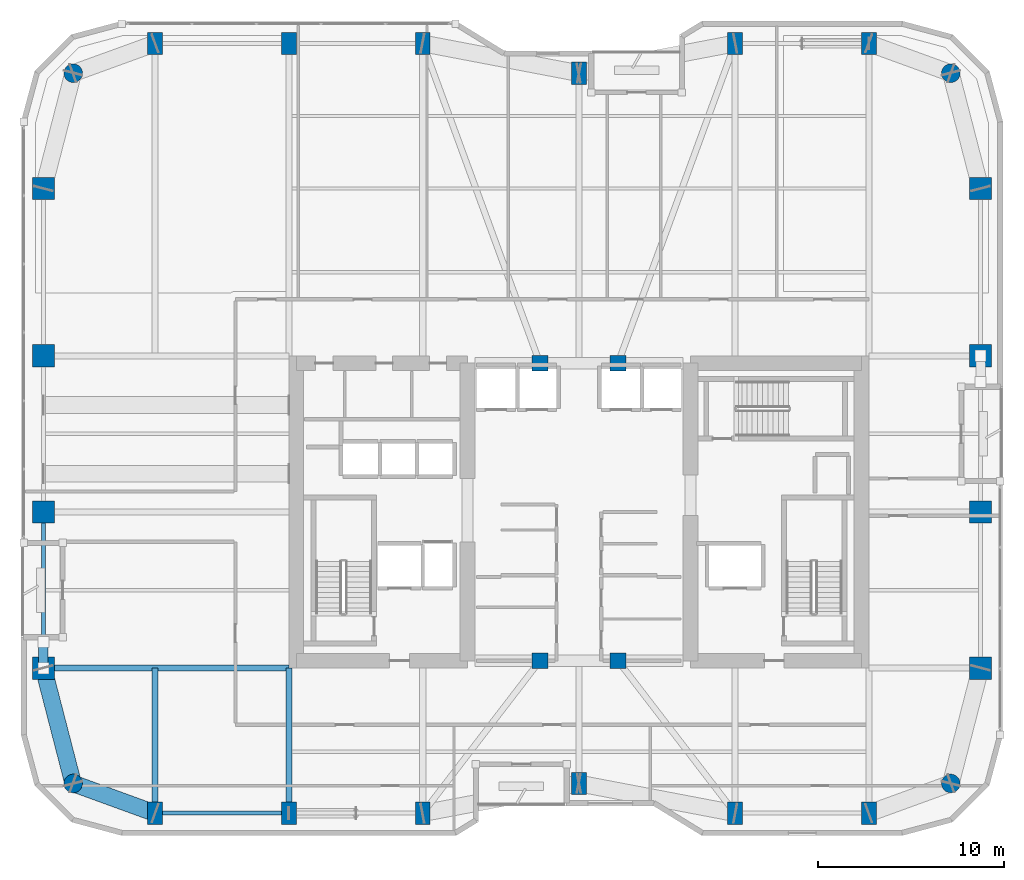
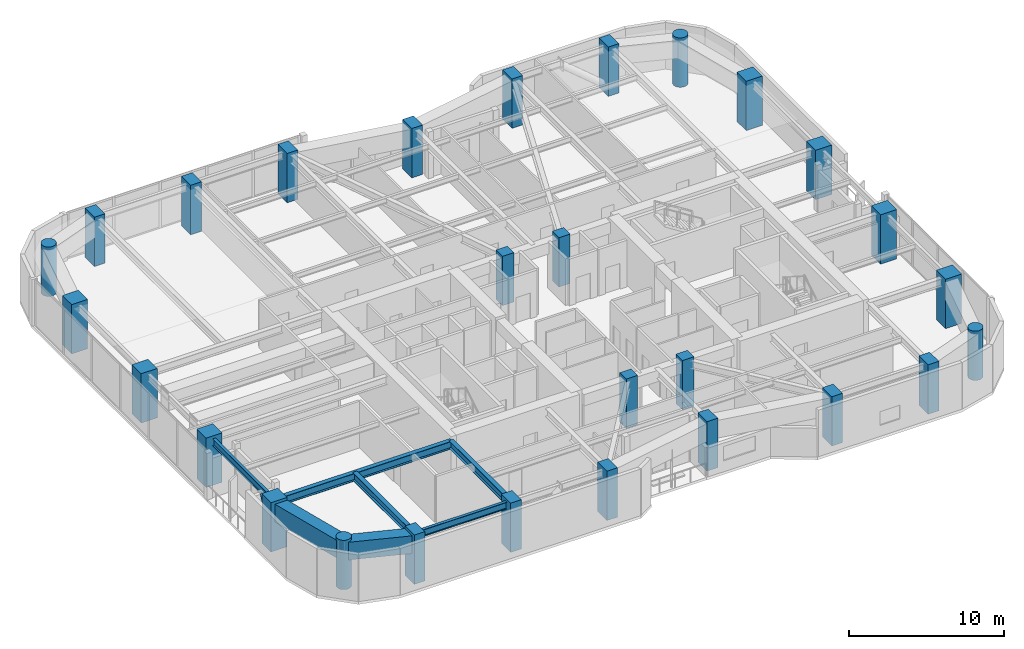
# One storey, part 1 of 30: 28 columns, 7 beams, 1 member.
"""IFC4 building model written with IfcOpenShell, lengths in metres."""

from ifc_helpers import new_model, si_unit, direction, frame, origin, origin_2d, place, context, subcontext, project, spatial, rectangle, hollow_rectangle, circle, hollow_circle, i_section, extrude, material, material_profile, profile_set, type_object, element, save


model = new_model("IFC4")

# Units and contexts
model_context = context("Model", 3, precision=1e-05, world=origin(), true_north=direction((0.0, 1.0)))
body_context = subcontext(model_context, "Body", "Model", "MODEL_VIEW")
ifc_project = project(units=[si_unit("LENGTHUNIT", "METRE"), si_unit("AREAUNIT", "SQUARE_METRE"), si_unit("VOLUMEUNIT", "CUBIC_METRE"), si_unit("PLANEANGLEUNIT", "RADIAN"), si_unit("MASSUNIT", "GRAM", prefix="KILO")], contexts=[model_context])

# Site, building, storey
site_placement = place(None, origin())
site = spatial("IfcSite", under=ifc_project, at=site_placement, CompositionType="ELEMENT")
building_placement = place(site_placement, origin())
building = spatial("IfcBuilding", under=site, at=building_placement, Name="Kiyonajd Concourse Tower", CompositionType="ELEMENT")
storey_placement = place(building_placement, frame((0.0, 0.0, 177.89990234375)))
storey = spatial("IfcBuildingStorey", under=building, at=storey_placement, Name="L45", CompositionType="ELEMENT", Elevation=177.89990234375)

# Columns
ifc_material_1 = material(Name="Concrete C70/85", Category="concrete")
ifc_material_profile_1 = material_profile(ifc_material_1, rectangle(XDim=0.800048828125, YDim=1.199951171875, at=origin_2d()), Name="RC-1200x800")
ifc_profile_set_1 = profile_set([ifc_material_profile_1], Name="Concrete C70/85")
column_type_1 = type_object("IfcColumnType", Name="CL-BLADE-1200", PredefinedType="COLUMN", material=ifc_profile_set_1)
for number, where, z_axis, x_axis, name in (
    (1, (25.199951171875, 19.800048828125, 0.0), (0.0, 0.0, 1.0), (1.0, 0.0, 0.0), "L45 Perimeter Bundled Tube Column"),
    (2, (25.199951171875, 61.199951171875, 0.0), (0.0, 0.0, 1.0), (1.0, 0.0, 0.0), "L45 Perimeter Bundled Tube Column"),
    (3, (32.39990234375, 19.800048828125, 0.0), (0.0, 0.0, 1.0), (1.0, 0.0, 0.0), "L45 Perimeter Bundled Tube Column"),
    (4, (32.39990234375, 61.199951171875, 0.0), (0.0, 0.0, 1.0), (1.0, 0.0, 0.0), "L45 Perimeter Bundled Tube Column"),
    (5, (39.60009765625, 19.800048828125, 0.0), (0.0, 0.0, 1.0), (1.0, 0.0, 0.0), "L45 Perimeter Bundled Tube Column"),
    (6, (39.60009765625, 61.199951171875, 0.0), (0.0, 0.0, 1.0), (1.0, 0.0, 0.0), "L45 Perimeter Bundled Tube Column"),
    (7, (48.0, 21.39990234375, 0.0), (0.0, 0.0, 1.0), (1.0, 0.0, 0.0), "L45 Perimeter Bundled Tube Column"),
    (8, (48.0, 59.60009765625, 0.0), (0.0, 0.0, 1.0), (1.0, 0.0, 0.0), "L45 Perimeter Bundled Tube Column"),
    (9, (56.39990234375, 19.800048828125, 0.0), (0.0, 0.0, 1.0), (1.0, 0.0, 0.0), "L45 Perimeter Bundled Tube Column"),
    (10, (56.39990234375, 61.199951171875, 0.0), (0.0, 0.0, 1.0), (1.0, 0.0, 0.0), "L45 Perimeter Bundled Tube Column"),
    (11, (63.60009765625, 19.800048828125, 0.0), (0.0, 0.0, 1.0), (1.0, 0.0, 0.0), "L45 Perimeter Bundled Tube Column"),
    (12, (63.60009765625, 61.199951171875, 0.0), (0.0, 0.0, 1.0), (1.0, 0.0, 0.0), "L45 Perimeter Bundled Tube Column"),
):
    element("IfcColumn", number, at=place(storey_placement, frame(where, z_axis=z_axis, x_axis=x_axis)), inside=storey, type_object=column_type_1, Name=name, PredefinedType="COLUMN", context=body_context, shape_type="SweptSolid", body=[
        extrude(rectangle(XDim=0.800048828125, YDim=1.199951171875, at=origin_2d()), origin(), (0.0, 0.0, 1.0), 3.900146484375),
    ])
ifc_material_2 = material(Name="Concrete C60/75", Category="concrete")
ifc_material_profile_2 = material_profile(ifc_material_2, circle(Radius=0.5, at=origin_2d()), Name="RCC-D1000")
ifc_profile_set_2 = profile_set([ifc_material_profile_2], Name="Concrete C60/75")
column_type_2 = type_object("IfcColumnType", Name="CL-RND-1000", PredefinedType="COLUMN", material=ifc_profile_set_2)
for number, where, z_axis, x_axis, name in (
    (13, (20.800048828125, 21.39990234375, 0.0), (0.0, 0.0, 1.0), (1.0, 0.0, 0.0), "L45 Bundled Tube Corner Column South West"),
    (14, (68.0, 21.39990234375, 0.0), (0.0, 0.0, 1.0), (1.0, 0.0, 0.0), "L45 Bundled Tube Corner Column South East"),
    (15, (68.0, 59.60009765625, 0.0), (0.0, 0.0, 1.0), (1.0, 0.0, 0.0), "L45 Bundled Tube Corner Column North East"),
    (16, (20.800048828125, 59.60009765625, 0.0), (0.0, 0.0, 1.0), (1.0, 0.0, 0.0), "L45 Bundled Tube Corner Column North West"),
):
    element("IfcColumn", number, at=place(storey_placement, frame(where, z_axis=z_axis, x_axis=x_axis)), inside=storey, type_object=column_type_2, Name=name, PredefinedType="COLUMN", context=body_context, shape_type="SweptSolid", body=[
        extrude(circle(Radius=0.5, at=origin_2d()), origin(), (0.0, 0.0, 1.0), 3.900146484375),
    ])
ifc_material_profile_3 = material_profile(ifc_material_1, rectangle(XDim=1.199951171875, YDim=1.199951171875, at=origin_2d()), Name="RC-1200x1200")
ifc_profile_set_3 = profile_set([ifc_material_profile_3], Name="Concrete C70/85")
column_type_3 = type_object("IfcColumnType", Name="CL-TUBE-1200", PredefinedType="COLUMN", material=ifc_profile_set_3)
for number, where, z_axis, x_axis, name in (
    (17, (19.199951171875, 27.60009765625, 0.0), (0.0, 0.0, 1.0), (1.0, 0.0, 0.0), "L45 Perimeter Bundled Tube Column"),
    (18, (69.60009765625, 27.60009765625, 0.0), (0.0, 0.0, 1.0), (1.0, 0.0, 0.0), "L45 Perimeter Bundled Tube Column"),
    (19, (19.199951171875, 36.0, 0.0), (0.0, 0.0, 1.0), (1.0, 0.0, 0.0), "L45 Perimeter Bundled Tube Column"),
    (20, (69.60009765625, 36.0, 0.0), (0.0, 0.0, 1.0), (1.0, 0.0, 0.0), "L45 Perimeter Bundled Tube Column"),
    (21, (19.199951171875, 44.39990234375, 0.0), (0.0, 0.0, 1.0), (1.0, 0.0, 0.0), "L45 Perimeter Bundled Tube Column"),
    (22, (69.60009765625, 44.39990234375, 0.0), (0.0, 0.0, 1.0), (1.0, 0.0, 0.0), "L45 Perimeter Bundled Tube Column"),
    (23, (19.199951171875, 53.39990234375, 0.0), (0.0, 0.0, 1.0), (1.0, 0.0, 0.0), "L45 Perimeter Bundled Tube Column"),
    (24, (69.60009765625, 53.39990234375, 0.0), (0.0, 0.0, 1.0), (1.0, 0.0, 0.0), "L45 Perimeter Bundled Tube Column"),
):
    element("IfcColumn", number, at=place(storey_placement, frame(where, z_axis=z_axis, x_axis=x_axis)), inside=storey, type_object=column_type_3, Name=name, PredefinedType="COLUMN", context=body_context, shape_type="SweptSolid", body=[
        extrude(rectangle(XDim=1.199951171875, YDim=1.199951171875, at=origin_2d()), origin(), (0.0, 0.0, 1.0), 3.900146484375),
    ])
ifc_material_profile_4 = material_profile(ifc_material_2, rectangle(XDim=0.85009765625, YDim=0.85009765625, at=origin_2d()), Name="RC-850x850")
ifc_profile_set_4 = profile_set([ifc_material_profile_4], Name="Concrete C60/75")
column_type_4 = type_object("IfcColumnType", Name="CL-TUBE-850", PredefinedType="COLUMN", material=ifc_profile_set_4)
for number, where, z_axis, x_axis, name in (
    (25, (45.89990234375, 28.0, 0.0), (0.0, 0.0, 1.0), (1.0, 0.0, 0.0), "L45 Core Tie Column South West"),
    (26, (50.10009765625, 28.0, 0.0), (0.0, 0.0, 1.0), (1.0, 0.0, 0.0), "L45 Core Tie Column South East"),
    (27, (45.89990234375, 44.0, 0.0), (0.0, 0.0, 1.0), (1.0, 0.0, 0.0), "L45 Core Tie Column North West"),
    (28, (50.10009765625, 44.0, 0.0), (0.0, 0.0, 1.0), (1.0, 0.0, 0.0), "L45 Core Tie Column North East"),
):
    element("IfcColumn", number, at=place(storey_placement, frame(where, z_axis=z_axis, x_axis=x_axis)), inside=storey, type_object=column_type_4, Name=name, PredefinedType="COLUMN", context=body_context, shape_type="SweptSolid", body=[
        extrude(rectangle(XDim=0.85009765625, YDim=0.85009765625, at=origin_2d()), origin(), (0.0, 0.0, 1.0), 3.900146484375),
    ])

# Beams
ifc_material_3 = material(Name="Steel ASTM A992 Grade 50", Category="steel")
ifc_material_profile_5 = material_profile(ifc_material_3, i_section(OverallWidth=0.214111328125, OverallDepth=0.549072265625, WebThickness=0.0146484375, FlangeThickness=0.023681640625, at=origin_2d()), Name="W530X138")
ifc_profile_set_5 = profile_set([ifc_material_profile_5], Name="Steel ASTM A992 Grade 50")
beam_type_1 = type_object("IfcBeamType", Name="BM-SPAN-530A", PredefinedType="SPANDREL", material=ifc_profile_set_5)
beam_1_placement = place(storey_placement, frame((25.199951171875, 19.800048828125, 3.405517578125), z_axis=(1.0, 0.0, 0.0), x_axis=(0.0, 1.0, 0.0)))
element("IfcBeam", 29, at=beam_1_placement, inside=storey, type_object=beam_type_1, Name="L45 Perimeter Bundled Tube Spandrel", PredefinedType="SPANDREL", context=body_context, shape_type="SweptSolid", body=[
    extrude(i_section(OverallWidth=0.214111328125, OverallDepth=0.549072265625, WebThickness=0.0146484375, FlangeThickness=0.023681640625, at=origin_2d()), origin(), (0.0, 0.0, 1.0), 7.199951171875),
])
beam_2_placement = place(storey_placement, frame((19.199951171875, 36.0, 3.405517578125), z_axis=(0.0, -1.0, 0.0), x_axis=(1.0, 0.0, 0.0)))
element("IfcBeam", 30, at=beam_2_placement, inside=storey, type_object=beam_type_1, Name="L45 Perimeter Bundled Tube Spandrel", PredefinedType="SPANDREL", context=body_context, shape_type="SweptSolid", body=[
    extrude(i_section(OverallWidth=0.214111328125, OverallDepth=0.549072265625, WebThickness=0.0146484375, FlangeThickness=0.023681640625, at=origin_2d()), origin(), (0.0, 0.0, 1.0), 8.39990234375),
])
ifc_material_profile_6 = material_profile(ifc_material_3, i_section(OverallWidth=0.326904296875, OverallDepth=0.6220703125, WebThickness=0.015380859375, FlangeThickness=0.0244140625, at=origin_2d()), Name="W610X195")
ifc_profile_set_6 = profile_set([ifc_material_profile_6], Name="Steel ASTM A992 Grade 50")
beam_type_2 = type_object("IfcBeamType", Name="BM-TWR-610A", PredefinedType="BEAM", material=ifc_profile_set_6)
for number, where, z_axis, x_axis, name in (
    (31, (25.199951171875, 19.800048828125, 3.369140625), (0.0, 1.0, 0.0), (-1.0, 0.0, 0.0), "L45 South Lease Girder"),
    (32, (32.39990234375, 19.800048828125, 3.369140625), (0.0, 1.0, 0.0), (-1.0, 0.0, 0.0), "L45 South Lease Girder"),
):
    element("IfcBeam", number, at=place(storey_placement, frame(where, z_axis=z_axis, x_axis=x_axis)), inside=storey, type_object=beam_type_2, Name=name, PredefinedType="BEAM", context=body_context, shape_type="SweptSolid", body=[
        extrude(i_section(OverallWidth=0.326904296875, OverallDepth=0.6220703125, WebThickness=0.015380859375, FlangeThickness=0.0244140625, at=origin_2d()), origin(), (0.0, 0.0, 1.0), 7.800048828125),
    ])
beam_3_placement = place(storey_placement, frame((19.199951171875, 27.60009765625, 3.369140625), z_axis=(1.0, 0.0, 0.0), x_axis=(0.0, 1.0, 0.0)))
element("IfcBeam", 33, at=beam_3_placement, inside=storey, type_object=beam_type_2, Name="L45 West Lease Girder", PredefinedType="BEAM", context=body_context, shape_type="SweptSolid", body=[
    extrude(i_section(OverallWidth=0.326904296875, OverallDepth=0.6220703125, WebThickness=0.015380859375, FlangeThickness=0.0244140625, at=origin_2d()), origin(), (0.0, 0.0, 1.0), 13.199951171875),
])
ifc_material_4 = material(Name="Steel ASTM A572 Grade 50", Category="steel")
ifc_material_profile_7 = material_profile(ifc_material_4, hollow_rectangle(XDim=0.89990234375, YDim=1.39990234375, WallThickness=0.070068359375, at=origin_2d()), Name="BOX-1400x900x70")
ifc_profile_set_7 = profile_set([ifc_material_profile_7], Name="Steel ASTM A572 Grade 50")
beam_type_3 = type_object("IfcBeamType", Name="BM-XFER-1400", PredefinedType="BEAM", material=ifc_profile_set_7)
beam_4_placement = place(storey_placement, frame((19.199951171875, 27.60009765625, 2.97998046875), z_axis=(0.249884937687, -0.968275538221, 0.0), x_axis=(0.968275538221, 0.249884937687, 0.0)))
element("IfcBeam", 34, at=beam_4_placement, inside=storey, type_object=beam_type_3, Name="L45 Perimeter Bundled Tube Spandrel", PredefinedType="BEAM", context=body_context, shape_type="SweptSolid", body=[
    extrude(hollow_rectangle(XDim=0.89990234375, YDim=1.39990234375, WallThickness=0.070068359375, at=origin_2d()), origin(), (0.0, 0.0, 1.0), 6.4033203125),
])
beam_5_placement = place(storey_placement, frame((20.800048828125, 21.39990234375, 2.97998046875), z_axis=(0.939801036019, -0.341722127901, 0.0), x_axis=(0.341722127901, 0.939801036019, 0.0)))
element("IfcBeam", 35, at=beam_5_placement, inside=storey, type_object=beam_type_3, Name="L45 Perimeter Bundled Tube Spandrel", PredefinedType="BEAM", context=body_context, shape_type="SweptSolid", body=[
    extrude(hollow_rectangle(XDim=0.89990234375, YDim=1.39990234375, WallThickness=0.070068359375, at=origin_2d()), origin(), (0.0, 0.0, 1.0), 4.681640625),
])

# Member
ifc_material_5 = material(Name="Steel ASTM A500 Grade C", Category="steel")
ifc_material_profile_8 = material_profile(ifc_material_5, hollow_circle(Radius=0.25390625, WallThickness=0.02197265625, at=origin_2d()), Name="CHS-508x22")
ifc_profile_set_8 = profile_set([ifc_material_profile_8], Name="Steel ASTM A500 Grade C")
member_type = type_object("IfcMemberType", Name="MB-PB-MID", PredefinedType="BRACE", material=ifc_profile_set_8)
member_placement = place(storey_placement, frame((19.199951171875, 27.60009765625, 0.300048828125), z_axis=(0.0, 0.419410666774, 0.907796614114), x_axis=(-1.0, 0.0, 0.0)))
element("IfcMember", 36, at=member_placement, inside=storey, type_object=member_type, Name="L45 Upper Zone Hollow Tube Brace PBW", PredefinedType="BRACE", context=body_context, shape_type="SweptSolid", body=[
    extrude(hollow_circle(Radius=0.25390625, WallThickness=0.02197265625, at=origin_2d()), origin(), (0.0, 0.0, 1.0), 3.337890625),
])

save(model, "model.ifc")
